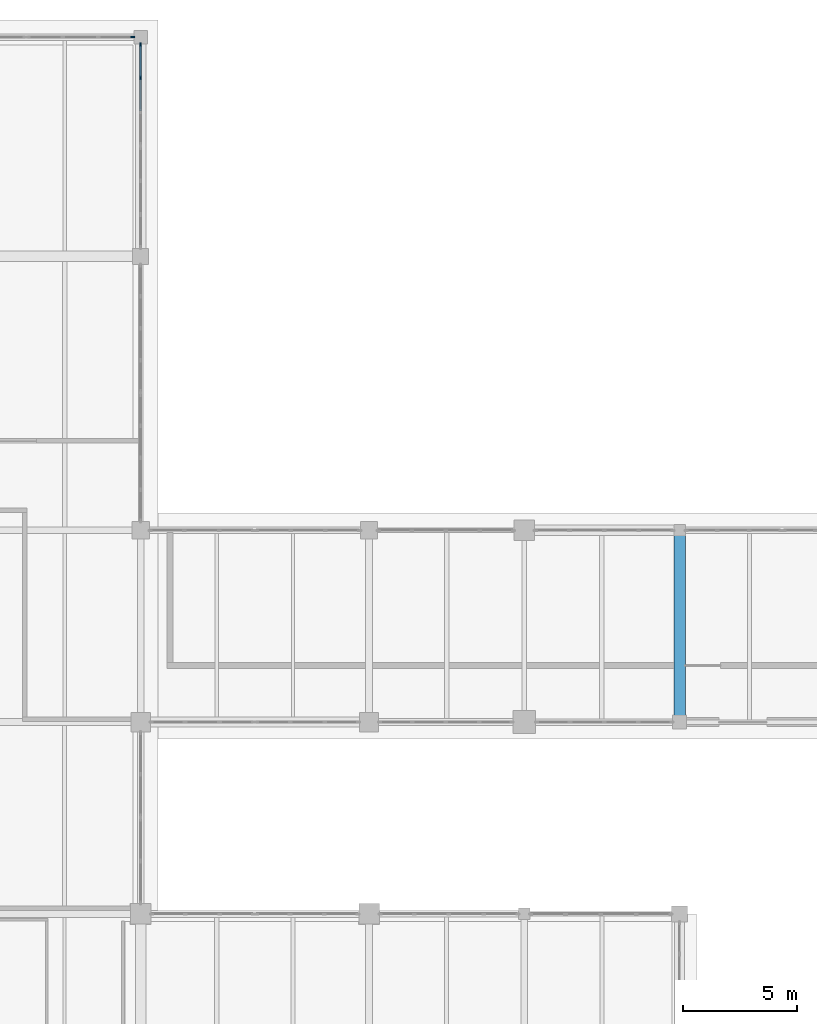
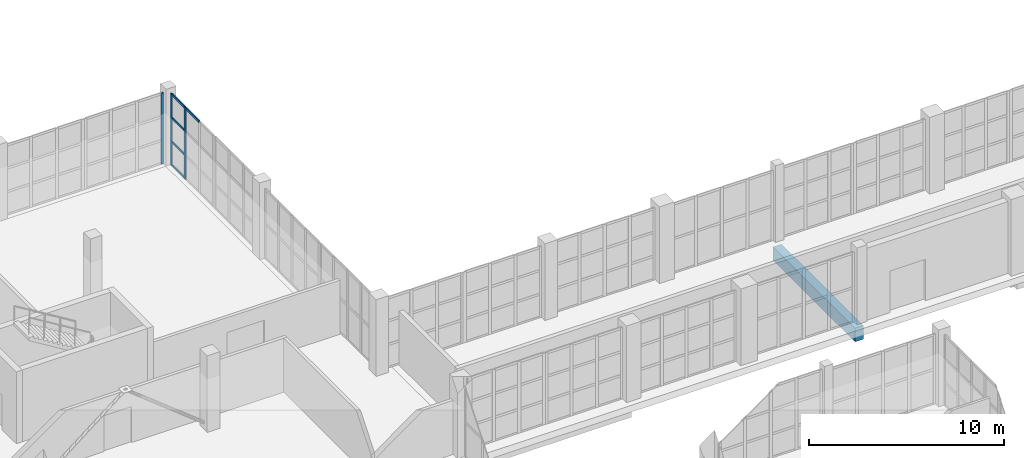
# One storey, part 55 of 121: 8 members, 1 beam, 2 elements without a shape of their own.
"""IFC4 building model written with IfcOpenShell, lengths in metres."""

from ifc_helpers import new_model, si_unit, direction, frame, origin, origin_2d, place, context, subcontext, project, spatial, rectangle, extrude, material, layer, layer_set, material_profile, profile_set, type_object, element, aggregate, save


model = new_model("IFC4")

# Units and contexts
model_context = context("Model", 3, precision=1e-05, world=origin(), true_north=direction((0.0, 1.0)))
body_context = subcontext(model_context, "Body", "Model", "MODEL_VIEW")
ifc_project = project(units=[si_unit("LENGTHUNIT", "METRE"), si_unit("AREAUNIT", "SQUARE_METRE"), si_unit("VOLUMEUNIT", "CUBIC_METRE"), si_unit("PLANEANGLEUNIT", "RADIAN"), si_unit("MASSUNIT", "GRAM", prefix="KILO")], contexts=[model_context])

# Site, building, storey
site_placement = place(None, origin())
site = spatial("IfcSite", under=ifc_project, at=site_placement, CompositionType="ELEMENT")
building_placement = place(site_placement, origin())
building = spatial("IfcBuilding", under=site, at=building_placement, Name="Zereglee Splitstone Museum", CompositionType="ELEMENT")
storey_placement = place(building_placement, origin())
storey = spatial("IfcBuildingStorey", under=building, at=storey_placement, Name="L00", CompositionType="ELEMENT", Elevation=0.0)

# Beam
ifc_material_1 = material(Name="Concrete C40/50", Category="concrete")
ifc_material_profile_1 = material_profile(ifc_material_1, rectangle(XDim=0.5, YDim=0.85009765625, at=origin_2d()), Name="RC 500x850")
ifc_profile_set_1 = profile_set([ifc_material_profile_1], Name="Concrete C40/50")
beam_type = type_object("IfcBeamType", Name="BG-02", PredefinedType="BEAM", material=ifc_profile_set_1)
beam_placement = place(storey_placement, frame((228.800048828125, 30.0, -0.844970703125), z_axis=(0.0, 1.0, 0.0), x_axis=(-1.0, 0.0, 0.0)))
element("IfcBeam", 1, at=beam_placement, inside=storey, type_object=beam_type, Name="Primary Girder L00 26 (30.0-38.4)", PredefinedType="BEAM", context=body_context, shape_type="SweptSolid", body=[
    extrude(rectangle(XDim=0.5, YDim=0.85009765625, at=origin_2d()), origin(), (0.0, 0.0, 1.0), 8.39990234375),
])

# Curtain wall, members
ifc_material_2 = material(Name="Triple-glazed low-E argon glass and bronze-anodised aluminium", Category="aluminium")
ifc_layer_1 = layer(ifc_material_2, 0.179931640625)
ifc_layer_set_1 = layer_set([ifc_layer_1], Name="Triple-glazed low-E argon glass and bronze-anodised aluminium")
curtain_wall_type_1 = type_object("IfcCurtainWallType", Name="CW-0443-448", PredefinedType="USERDEFINED", material=ifc_layer_set_1)
curtain_wall_1_placement = place(storey_placement, origin())
curtain_wall_1 = element("IfcCurtainWall", 2, at=curtain_wall_1_placement, inside=storey, type_object=curtain_wall_type_1, Name="Glazed Curtain Wall CW-0443-448 (L00)", ObjectType="GLAZED CURTAIN WALL", PredefinedType="USERDEFINED")
ifc_material_3 = material(Name="Thermally broken bronze-anodised aluminium", Category="aluminium")
ifc_material_profile_2 = material_profile(ifc_material_3, rectangle(XDim=0.06494140625, YDim=0.179931640625, at=origin_2d()), Name="CW MULL 65x180")
ifc_profile_set_2 = profile_set([ifc_material_profile_2], Name="Thermally broken bronze-anodised aluminium")
member_type_1 = type_object("IfcMemberType", Name="CWM-01", PredefinedType="MULLION", material=ifc_profile_set_2)
member_1_placement = place(storey_placement, frame((205.199951171875, 58.21630859375, 0.0), z_axis=(0.0, 0.0, 1.0), x_axis=(-1.0, 0.0, 0.0)))
member_1 = element("IfcMember", 3, at=member_1_placement, type_object=member_type_1, Name="CW-0443-448 mullion 3", PredefinedType="MULLION", context=body_context, shape_type="SweptSolid", body=[
    extrude(rectangle(XDim=0.06494140625, YDim=0.179931640625, at=origin_2d()), origin(), (0.0, 0.0, 1.0), 4.47998046875),
])
member_2_placement = place(storey_placement, frame((205.199951171875, 59.659423828125, 0.0), z_axis=(0.0, 0.0, 1.0), x_axis=(-1.0, 0.0, 0.0)))
member_2 = element("IfcMember", 4, at=member_2_placement, type_object=member_type_1, Name="CW-0443-448 mullion 4", PredefinedType="MULLION", context=body_context, shape_type="SweptSolid", body=[
    extrude(rectangle(XDim=0.06494140625, YDim=0.179931640625, at=origin_2d()), origin(), (0.0, 0.0, 1.0), 4.47998046875),
])

# Curtain wall, member
ifc_layer_2 = layer(ifc_material_2, 0.179931640625)
ifc_layer_set_2 = layer_set([ifc_layer_2], Name="Triple-glazed low-E argon glass and bronze-anodised aluminium")
curtain_wall_type_2 = type_object("IfcCurtainWallType", Name="CW-0465-444", PredefinedType="USERDEFINED", material=ifc_layer_set_2)
curtain_wall_2_placement = place(storey_placement, origin())
curtain_wall_2 = element("IfcCurtainWall", 5, at=curtain_wall_2_placement, inside=storey, type_object=curtain_wall_type_2, Name="Glazed Curtain Wall CW-0465-444 (L00)", ObjectType="GLAZED CURTAIN WALL", PredefinedType="USERDEFINED")
member_3_placement = place(storey_placement, frame((204.859619140625, 60.0, 0.0), z_axis=(0.0, 0.0, 1.0), x_axis=(0.0, -1.0, 0.0)))
member_3 = element("IfcMember", 6, at=member_3_placement, type_object=member_type_1, Name="CW-0465-444 mullion 1", PredefinedType="MULLION", context=body_context, shape_type="SweptSolid", body=[
    extrude(rectangle(XDim=0.06494140625, YDim=0.179931640625, at=origin_2d()), origin(), (0.0, 0.0, 1.0), 4.43994140625),
])
aggregate(curtain_wall_2, [member_3])

# Member
ifc_material_profile_3 = material_profile(ifc_material_3, rectangle(XDim=0.06494140625, YDim=0.139892578125, at=origin_2d()), Name="CW TRAN 65x140")
ifc_profile_set_3 = profile_set([ifc_material_profile_3], Name="Thermally broken bronze-anodised aluminium")
member_type_2 = type_object("IfcMemberType", Name="CWT-01", PredefinedType="USERDEFINED", material=ifc_profile_set_3)
member_4_placement = place(storey_placement, frame((205.199951171875, 56.773193359375, 4.447509765625), z_axis=(0.0, 1.0, 0.0), x_axis=(-1.0, 0.0, 0.0)))
member_4 = element("IfcMember", 7, at=member_4_placement, type_object=member_type_2, Name="CW-0443-448 transom 2.4", ObjectType="TRANSOM", PredefinedType="USERDEFINED", context=body_context, shape_type="SweptSolid", body=[
    extrude(rectangle(XDim=0.06494140625, YDim=0.139892578125, at=origin_2d()), origin(), (0.0, 0.0, 1.0), 1.41064453125),
])

member_5_placement = place(storey_placement, frame((205.199951171875, 58.248779296875, 0.032470703125), z_axis=(0.0, 1.0, 0.0), x_axis=(-1.0, 0.0, 0.0)))
member_5 = element("IfcMember", 8, at=member_5_placement, type_object=member_type_2, Name="CW-0443-448 transom 3.1", ObjectType="TRANSOM", PredefinedType="USERDEFINED", context=body_context, shape_type="SweptSolid", body=[
    extrude(rectangle(XDim=0.06494140625, YDim=0.139892578125, at=origin_2d()), origin(), (0.0, 0.0, 1.0), 1.378173828125),
])

member_6_placement = place(storey_placement, frame((205.199951171875, 58.248779296875, 1.493408203125), z_axis=(0.0, 1.0, 0.0), x_axis=(-1.0, 0.0, 0.0)))
member_6 = element("IfcMember", 9, at=member_6_placement, type_object=member_type_2, Name="CW-0443-448 transom 3.2", ObjectType="TRANSOM", PredefinedType="USERDEFINED", context=body_context, shape_type="SweptSolid", body=[
    extrude(rectangle(XDim=0.06494140625, YDim=0.139892578125, at=origin_2d()), origin(), (0.0, 0.0, 1.0), 1.378173828125),
])

member_7_placement = place(storey_placement, frame((205.199951171875, 58.248779296875, 2.98681640625), z_axis=(0.0, 1.0, 0.0), x_axis=(-1.0, 0.0, 0.0)))
member_7 = element("IfcMember", 10, at=member_7_placement, type_object=member_type_2, Name="CW-0443-448 transom 3.3", ObjectType="TRANSOM", PredefinedType="USERDEFINED", context=body_context, shape_type="SweptSolid", body=[
    extrude(rectangle(XDim=0.06494140625, YDim=0.139892578125, at=origin_2d()), origin(), (0.0, 0.0, 1.0), 1.378173828125),
])

member_8_placement = place(storey_placement, frame((205.199951171875, 58.248779296875, 4.447509765625), z_axis=(0.0, 1.0, 0.0), x_axis=(-1.0, 0.0, 0.0)))
member_8 = element("IfcMember", 11, at=member_8_placement, type_object=member_type_2, Name="CW-0443-448 transom 3.4", ObjectType="TRANSOM", PredefinedType="USERDEFINED", context=body_context, shape_type="SweptSolid", body=[
    extrude(rectangle(XDim=0.06494140625, YDim=0.139892578125, at=origin_2d()), origin(), (0.0, 0.0, 1.0), 1.378173828125),
])

aggregate(curtain_wall_1, [member_1, member_2, member_4, member_5, member_6, member_7, member_8])

save(model, "model.ifc")
